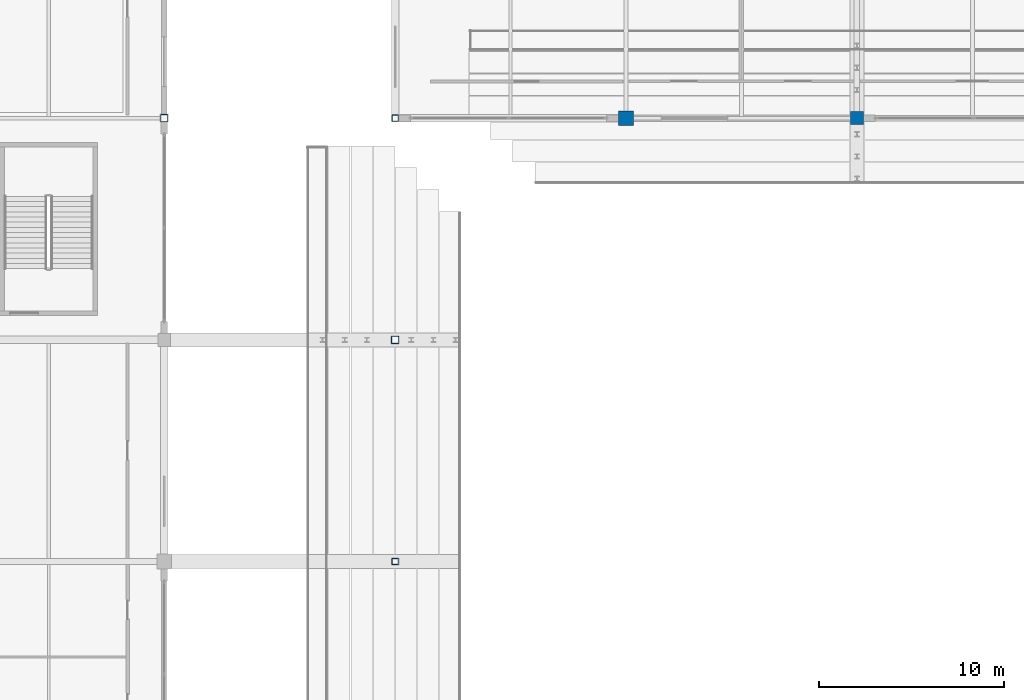
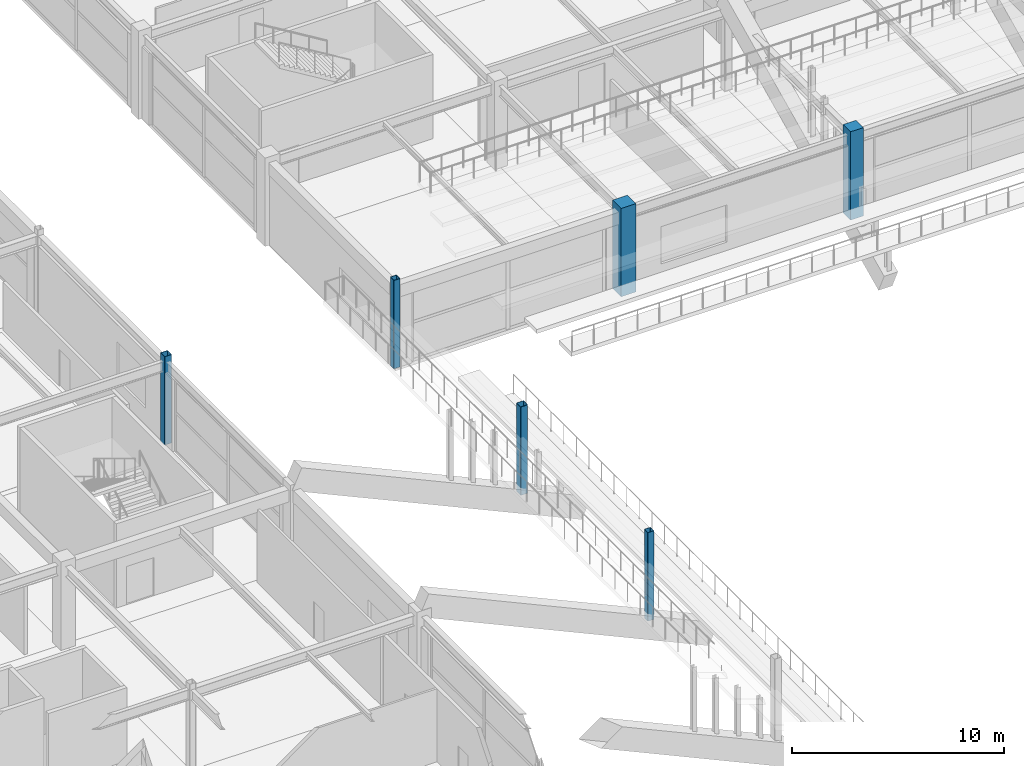
# One storey, part 9 of 128: 6 columns.
"""IFC4 building model written with IfcOpenShell, lengths in metres."""

from ifc_helpers import new_model, si_unit, direction, frame, origin, origin_2d, place, context, subcontext, project, spatial, rectangle, hollow_rectangle, extrude, material, material_profile, profile_set, type_object, element, save


model = new_model("IFC4")

# Units and contexts
model_context = context("Model", 3, precision=1e-05, world=origin(), true_north=direction((0.0, 1.0)))
body_context = subcontext(model_context, "Body", "Model", "MODEL_VIEW")
ifc_project = project(units=[si_unit("LENGTHUNIT", "METRE"), si_unit("AREAUNIT", "SQUARE_METRE"), si_unit("VOLUMEUNIT", "CUBIC_METRE"), si_unit("PLANEANGLEUNIT", "RADIAN"), si_unit("MASSUNIT", "GRAM", prefix="KILO")], contexts=[model_context])

# Site, building, storey
site_placement = place(None, origin())
site = spatial("IfcSite", under=ifc_project, at=site_placement, CompositionType="ELEMENT")
building_placement = place(site_placement, origin())
building = spatial("IfcBuilding", under=site, at=building_placement, Name="Kazenohara Klinker Stadium", CompositionType="ELEMENT")
storey_placement = place(building_placement, frame((0.0, 0.0, 15.300048828125)))
storey = spatial("IfcBuildingStorey", under=building, at=storey_placement, Name="L03", CompositionType="ELEMENT", Elevation=15.300048828125)

# Columns
ifc_material_1 = material(Name="Concrete C40/50", Category="concrete")
ifc_material_profile_1 = material_profile(ifc_material_1, rectangle(XDim=0.800048828125, YDim=0.800048828125, at=origin_2d()), Name="RC-COL-800x800")
ifc_profile_set_1 = profile_set([ifc_material_profile_1], Name="Concrete C40/50")
column_type_1 = type_object("IfcColumnType", Name="COL-RC05", PredefinedType="COLUMN", material=ifc_profile_set_1)
column_1_placement = place(storey_placement, frame((61.5, 132.0, 0.0), z_axis=(0.0, 0.0, 1.0), x_axis=(1.0, 0.0, 0.0)))
element("IfcColumn", 1, at=column_1_placement, inside=storey, type_object=column_type_1, Name="Column C05 L03 6/M", PredefinedType="COLUMN", context=body_context, shape_type="SweptSolid", body=[
    extrude(rectangle(XDim=0.800048828125, YDim=0.800048828125, at=origin_2d()), origin(), (0.0, 0.0, 1.0), 5.099853515625),
])
ifc_material_profile_2 = material_profile(ifc_material_1, rectangle(XDim=0.699951171875, YDim=0.699951171875, at=origin_2d()), Name="RC-COL-700x700")
ifc_profile_set_2 = profile_set([ifc_material_profile_2], Name="Concrete C40/50")
column_type_2 = type_object("IfcColumnType", Name="COL-RC06", PredefinedType="COLUMN", material=ifc_profile_set_2)
column_2_placement = place(storey_placement, frame((74.0, 132.0, 0.0), z_axis=(0.0, 0.0, 1.0), x_axis=(1.0, 0.0, 0.0)))
element("IfcColumn", 2, at=column_2_placement, inside=storey, type_object=column_type_2, Name="Column C06 L03 7/M", PredefinedType="COLUMN", context=body_context, shape_type="SweptSolid", body=[
    extrude(rectangle(XDim=0.699951171875, YDim=0.699951171875, at=origin_2d()), origin(), (0.0, 0.0, 1.0), 5.099853515625),
])
ifc_material_2 = material(Name="Steel S355", Category="steel")
ifc_material_profile_3 = material_profile(ifc_material_2, hollow_rectangle(XDim=0.39990234375, YDim=0.39990234375, WallThickness=0.01611328125, InnerFilletRadius=0.01611328125, OuterFilletRadius=0.031982421875, at=origin_2d()), Name="SHS-400x400x16")
ifc_profile_set_3 = profile_set([ifc_material_profile_3], Name="Steel S355")
column_type_3 = type_object("IfcColumnType", Name="COL-ST01", PredefinedType="COLUMN", material=ifc_profile_set_3)
for number, where, z_axis, x_axis, name in (
    (3, (36.5, 132.0, 0.0), (0.0, 0.0, 1.0), (1.0, 0.0, 0.0), "Column SC01 L03 4/M"),
    (4, (49.0, 120.0, 0.0), (0.0, 0.0, 1.0), (1.0, 0.0, 0.0), "Canopy ring support column SC01 L03 5/L"),
):
    element("IfcColumn", number, at=place(storey_placement, frame(where, z_axis=z_axis, x_axis=x_axis)), inside=storey, type_object=column_type_3, Name=name, PredefinedType="COLUMN", context=body_context, shape_type="SweptSolid", body=[
        extrude(hollow_rectangle(XDim=0.39990234375, YDim=0.39990234375, WallThickness=0.01611328125, InnerFilletRadius=0.01611328125, OuterFilletRadius=0.031982421875, at=origin_2d()), origin(), (0.0, 0.0, 1.0), 5.099853515625),
    ])
ifc_material_profile_4 = material_profile(ifc_material_2, hollow_rectangle(XDim=0.35009765625, YDim=0.35009765625, WallThickness=0.01611328125, InnerFilletRadius=0.01611328125, OuterFilletRadius=0.031982421875, at=origin_2d()), Name="SHS-350x350x16")
ifc_profile_set_4 = profile_set([ifc_material_profile_4], Name="Steel S355")
column_type_4 = type_object("IfcColumnType", Name="COL-ST02", PredefinedType="COLUMN", material=ifc_profile_set_4)
for number, where, z_axis, x_axis, name in (
    (5, (49.0, 132.0, 0.0), (0.0, 0.0, 1.0), (1.0, 0.0, 0.0), "Column SC02 L03 5/M"),
    (6, (49.0, 108.0, 0.0), (0.0, 0.0, 1.0), (1.0, 0.0, 0.0), "Canopy ring support column SC02 L03 5/K"),
):
    element("IfcColumn", number, at=place(storey_placement, frame(where, z_axis=z_axis, x_axis=x_axis)), inside=storey, type_object=column_type_4, Name=name, PredefinedType="COLUMN", context=body_context, shape_type="SweptSolid", body=[
        extrude(hollow_rectangle(XDim=0.35009765625, YDim=0.35009765625, WallThickness=0.01611328125, InnerFilletRadius=0.01611328125, OuterFilletRadius=0.031982421875, at=origin_2d()), origin(), (0.0, 0.0, 1.0), 5.099853515625),
    ])

save(model, "model.ifc")
